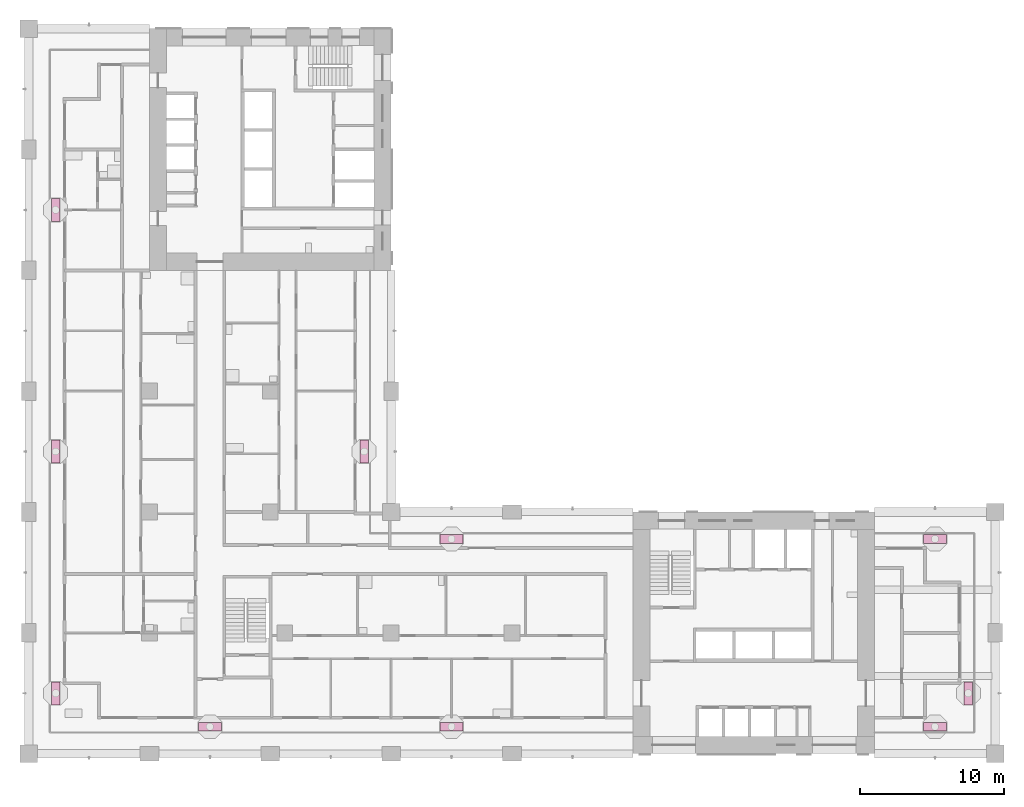
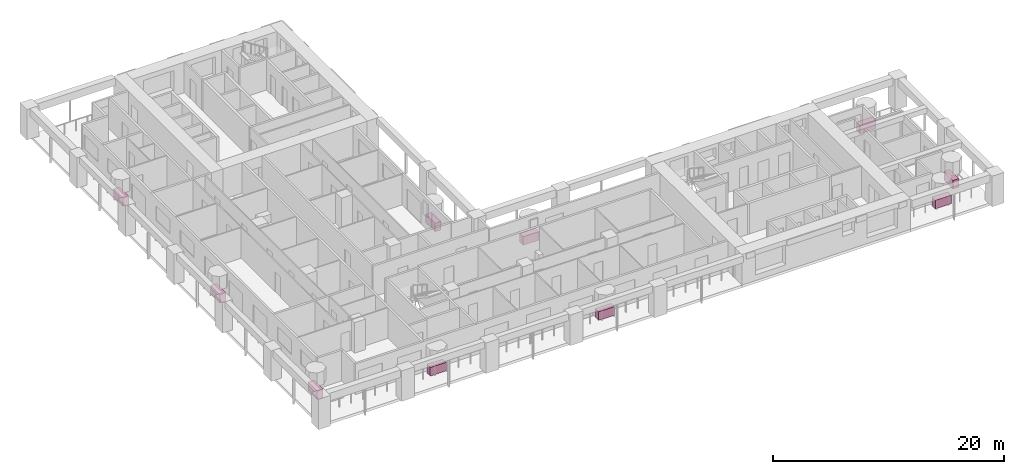
# One storey, part 17 of 18: 10 furniture elements.
"""IFC4 building model written with IfcOpenShell, lengths in metres."""

import ifcopenshell
import ifcopenshell.guid

model = None  # the IFC model being written
_history = None  # IfcOwnerHistory: only IFC2X3 demands one
_inside = {}  # id of a spatial element -> (the spatial element, [elements in it])
_under = {}  # id of a project, library or spatial element -> (it, [spatial elements below it])
_declared = {}  # id of a project -> (the project, [libraries it declares])
_typed = {}  # id of a type object -> (the type object, [elements of that type])
_made_of = {}  # id of a material, layer set ... -> (it, [elements and type objects made of it])


def new_model(schema):
    """Start an empty IFC model of exactly this schema.

    Asked for "IFC4X3", IfcOpenShell would pick the latest addendum, in which some entities
    have other attributes; the version numbers below select the first issue.
    IFC2X3 requires an IfcOwnerHistory on every rooted entity: one is made here for all.
    """
    global model, _history
    if schema == "IFC4X3":
        model = ifcopenshell.file(schema_version=(4, 3, 0, 0))
    else:
        model = ifcopenshell.file(schema=schema)
    _inside.clear()
    _under.clear()
    _declared.clear()
    _typed.clear()
    _made_of.clear()
    _history = None
    if model.schema == "IFC2X3":
        org = make("IfcOrganization", Name="unknown")
        user = make(
            "IfcPersonAndOrganization",
            ThePerson=make("IfcPerson", FamilyName="unknown"),
            TheOrganization=org,
        )
        app = make(
            "IfcApplication",
            ApplicationDeveloper=org,
            Version="unknown",
            ApplicationFullName="unknown",
            ApplicationIdentifier="unknown",
        )
        _history = make(
            "IfcOwnerHistory",
            OwningUser=user,
            OwningApplication=app,
            ChangeAction="ADDED",
            CreationDate=0,
        )
    return model


def make(cls, **values):
    """One entity of the class cls with the attributes given. An attribute that is None is left unset."""
    return model.create_entity(
        cls, **{name: value for name, value in values.items() if value is not None}
    )


def rooted(cls, **values):
    """An entity with a GlobalId (a new one), such as an element, a storey or a relation."""
    return make(cls, GlobalId=ifcopenshell.guid.new(), OwnerHistory=_history, **values)


def si_unit(unit_type, name, prefix=None):
    """IfcSIUnit, for example si_unit("LENGTHUNIT", "METRE", prefix="MILLI")."""
    return make("IfcSIUnit", UnitType=unit_type, Prefix=prefix, Name=name)


def assignment(units):
    """IfcUnitAssignment: the units of a project."""
    return None if units is None else make("IfcUnitAssignment", Units=units)


def point(xyz):
    """IfcCartesianPoint."""
    return None if xyz is None else make("IfcCartesianPoint", Coordinates=xyz)


def direction(xyz):
    """IfcDirection."""
    return None if xyz is None else make("IfcDirection", DirectionRatios=xyz)


def frame(location, z_axis=None, x_axis=None):
    """IfcAxis2Placement3D, a coordinate frame: its origin and axes. An axis left out is left unset."""
    return make(
        "IfcAxis2Placement3D",
        Location=point(location),
        Axis=direction(z_axis),
        RefDirection=direction(x_axis),
    )


def frame_2d(location, x_axis=None):
    """IfcAxis2Placement2D, a coordinate frame in the plane: its origin and x axis."""
    return make(
        "IfcAxis2Placement2D", Location=point(location), RefDirection=direction(x_axis)
    )


def origin():
    """The frame at (0, 0, 0) with its axes left unset."""
    return frame((0.0, 0.0, 0.0))


def origin_2d():
    """The frame at (0, 0) in the plane with its x axis left unset."""
    return frame_2d((0.0, 0.0))


def place(relative_to, where):
    """IfcLocalPlacement: puts the frame where relative to a parent placement (None: the world)."""
    return make(
        "IfcLocalPlacement", PlacementRelTo=relative_to, RelativePlacement=where
    )


def context(
    kind, dimensions, precision=None, world=None, true_north=None, identifier=None
):
    """IfcGeometricRepresentationContext, for example the 3D "Model" context."""
    return make(
        "IfcGeometricRepresentationContext",
        ContextIdentifier=identifier,
        ContextType=kind,
        CoordinateSpaceDimension=dimensions,
        Precision=precision,
        WorldCoordinateSystem=world,
        TrueNorth=true_north,
    )


def subcontext(parent, identifier, kind, view, scale=None):
    """IfcGeometricRepresentationSubContext, for example "Body" below "Model"."""
    return make(
        "IfcGeometricRepresentationSubContext",
        ContextIdentifier=identifier,
        ContextType=kind,
        ParentContext=parent,
        TargetScale=scale,
        TargetView=view,
    )


def project(units=None, contexts=None):
    """IfcProject with its units and contexts."""
    return rooted(
        "IfcProject",
        Name="project",
        RepresentationContexts=contexts,
        UnitsInContext=assignment(units),
    )


def spatial(cls, under=None, at=None, **own):
    """A site, building, storey or space (cls), placed at a placement, below another one or the project."""
    s = rooted(cls, ObjectPlacement=at, **own)
    if under is not None:
        _under.setdefault(under.id(), (under, []))[1].append(s)
    return s


def profile(cls, at=None, kind="AREA", **sizes):
    """A parametric profile (cls). Its sizes go by their IFC names, for example OverallWidth=200.0."""
    return make(cls, ProfileType=kind, Position=at, **sizes)


def rectangle(**sizes):
    """IfcRectangleProfileDef."""
    return profile("IfcRectangleProfileDef", **sizes)


def extrude(swept, where, along, depth):
    """IfcExtrudedAreaSolid: the profile swept, set in the frame where, extruded along a direction by depth."""
    return make(
        "IfcExtrudedAreaSolid",
        SweptArea=swept,
        Position=where,
        ExtrudedDirection=direction(along),
        Depth=depth,
    )


def shape(context_of_items, identifier, shape_type, items):
    """IfcShapeRepresentation: the items that make up one representation, for example the "Body"."""
    return make(
        "IfcShapeRepresentation",
        ContextOfItems=context_of_items,
        RepresentationIdentifier=identifier,
        RepresentationType=shape_type,
        Items=items,
    )


def material(Name=None, Category=None):
    """IfcMaterial."""
    return make("IfcMaterial", Name=Name, Category=Category)


def made_of(thing, what):
    """Note that an element or type object is made of a material, layer set ...; save() writes the relation."""
    if what is not None:
        _made_of.setdefault(what.id(), (what, []))[1].append(thing)
    return thing


def element(
    cls,
    number,
    at=None,
    inside=None,
    cuts=None,
    type_object=None,
    material=None,
    context=None,
    identifier="Body",
    shape_type=None,
    held_by="IfcProductDefinitionShape",
    body=None,
    shapes=None,
    **own,
):
    """One element of the class cls, such as IfcWall. Its Tag is "e" and its number.

    at: its placement. inside: the storey or other place that contains it. cuts: it is an
    opening in that element (IfcRelVoidsElement). A single representation is given by context,
    identifier, shape_type and body (its items); several are given by shapes. held_by: the class
    of the entity that holds the representations. save() writes the other relations.
    """
    e = rooted(cls, Tag="e%d" % number, ObjectPlacement=at, **own)
    if body is not None:
        shapes = [shape(context, identifier, shape_type, body)]
    if shapes is not None:
        e.Representation = make(held_by, Representations=shapes)
    if inside is not None:
        _inside.setdefault(inside.id(), (inside, []))[1].append(e)
    if cuts is not None:
        rooted(
            "IfcRelVoidsElement", RelatingBuildingElement=cuts, RelatedOpeningElement=e
        )
    if type_object is not None:
        _typed.setdefault(type_object.id(), (type_object, []))[1].append(e)
    return made_of(e, material)


def aggregate(whole, parts):
    """IfcRelAggregates: a whole, such as a stair, and the parts it consists of."""
    return rooted("IfcRelAggregates", RelatingObject=whole, RelatedObjects=parts)


def save(model, path):
    """Write the relations noted so far, then the file.

    IfcRelAggregates (storeys below a building ...), IfcRelContainedInSpatialStructure (elements
    in a storey), IfcRelDefinesByType, IfcRelAssociatesMaterial and IfcRelDeclares: one each for
    every whole, place, type object, material and project.
    """
    for whole, parts in _under.values():
        aggregate(whole, parts)
    for where, things in _inside.values():
        rooted(
            "IfcRelContainedInSpatialStructure",
            RelatedElements=things,
            RelatingStructure=where,
        )
    for kind, things in _typed.values():
        rooted("IfcRelDefinesByType", RelatedObjects=things, RelatingType=kind)
    for what, things in _made_of.values():
        rooted("IfcRelAssociatesMaterial", RelatedObjects=things, RelatingMaterial=what)
    for by, libraries in _declared.values():
        rooted("IfcRelDeclares", RelatingContext=by, RelatedDefinitions=libraries)
    model.write(path)


model = new_model("IFC4")

# Units and contexts
model_context = context("Model", 3, precision=1e-05, world=origin(), true_north=direction((0.0, 1.0)))
body_context = subcontext(model_context, "Body", "Model", "MODEL_VIEW")
ifc_project = project(units=[si_unit("LENGTHUNIT", "METRE"), si_unit("AREAUNIT", "SQUARE_METRE"), si_unit("VOLUMEUNIT", "CUBIC_METRE"), si_unit("PLANEANGLEUNIT", "RADIAN"), si_unit("MASSUNIT", "GRAM", prefix="KILO")], contexts=[model_context])

# Site, building, storey
site_placement = place(None, origin())
site = spatial("IfcSite", under=ifc_project, at=site_placement, CompositionType="ELEMENT")
building_placement = place(site_placement, origin())
building = spatial("IfcBuilding", under=site, at=building_placement, Name="Vermilion Gate Residences", CompositionType="ELEMENT")
storey_placement = place(building_placement, frame((0.0, 0.0, 109.199951171875)))
storey = spatial("IfcBuildingStorey", under=building, at=storey_placement, Name="L27", CompositionType="ELEMENT", Elevation=109.199951171875)

# Furniture
ifc_material = material(Name="Terracotta planter", Category="masonry")
for number, where, z_axis, x_axis, name in (
    (1, (12.60009765625, 10.27490234375, 0.0), (0.0, 0.0, 1.0), (1.0, 0.0, 0.0), "PLANTER"),
    (2, (29.39990234375, 10.27490234375, 0.0), (0.0, 0.0, 1.0), (1.0, 0.0, 0.0), "PLANTER"),
    (3, (63.0, 10.27490234375, 0.0), (0.0, 0.0, 1.0), (1.0, 0.0, 0.0), "PLANTER"),
    (4, (65.324951171875, 12.60009765625, 0.0), (0.0, 0.0, 1.0), (0.0, 1.0, 0.0), "PLANTER"),
    (5, (29.39990234375, 23.324951171875, 0.0), (0.0, 0.0, 1.0), (-1.0, 0.0, 0.0), "PLANTER"),
    (6, (63.0, 23.324951171875, 0.0), (0.0, 0.0, 1.0), (-1.0, 0.0, 0.0), "PLANTER"),
    (7, (23.324951171875, 29.39990234375, 0.0), (0.0, 0.0, 1.0), (0.0, 1.0, 0.0), "PLANTER"),
    (8, (1.875, 12.60009765625, 0.0), (0.0, 0.0, 1.0), (0.0, -1.0, 0.0), "PLANTER"),
    (9, (1.875, 29.39990234375, 0.0), (0.0, 0.0, 1.0), (0.0, -1.0, 0.0), "PLANTER"),
    (10, (1.875, 46.199951171875, 0.0), (0.0, 0.0, 1.0), (0.0, -1.0, 0.0), "PLANTER"),
):
    element("IfcFurniture", number, at=place(storey_placement, frame(where, z_axis=z_axis, x_axis=x_axis)), inside=storey, material=ifc_material, Name=name, ObjectType="PLANTER", PredefinedType="USERDEFINED", context=body_context, shape_type="SweptSolid", body=[
        extrude(rectangle(XDim=1.60009765625, YDim=0.60009765625, at=origin_2d()), origin(), (0.0, 0.0, 1.0), 0.89990234375),
    ])

save(model, "model.ifc")
